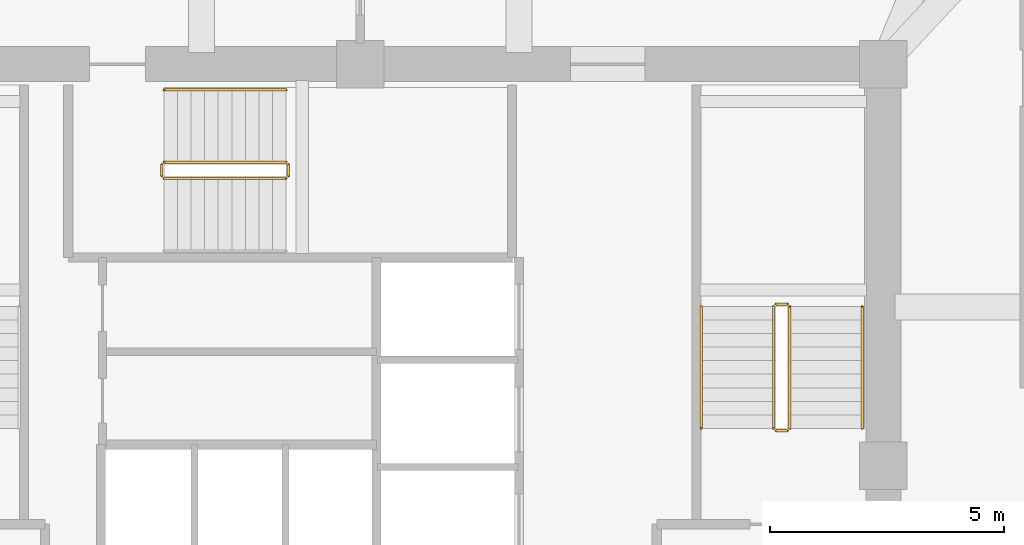
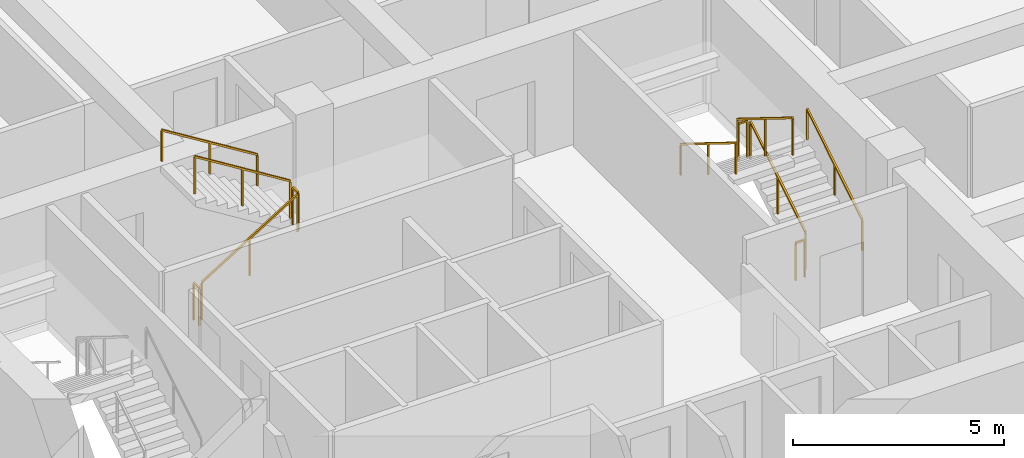
# One storey, part 12 of 12: 11 railings.
"""IFC4 building model written with IfcOpenShell, lengths in metres."""

from ifc_helpers import new_model, si_unit, derived_unit, direction, frame, origin, origin_2d, place, context, subcontext, project, spatial, rectangle, extrude, material, type_object, element, save


model = new_model("IFC4")

# Units and contexts
model_context = context("Model", 3, precision=1e-05, world=origin(), true_north=direction((0.0, 1.0)))
body_context = subcontext(model_context, "Body", "Model", "MODEL_VIEW")
ifc_project = project(units=[si_unit("LENGTHUNIT", "METRE"), si_unit("AREAUNIT", "SQUARE_METRE"), si_unit("VOLUMEUNIT", "CUBIC_METRE"), si_unit("PLANEANGLEUNIT", "RADIAN"), si_unit("MASSUNIT", "GRAM", prefix="KILO"), derived_unit("THERMALTRANSMITTANCEUNIT", [(si_unit("POWERUNIT", "WATT"), 1), (si_unit("LENGTHUNIT", "METRE"), -2), (si_unit("THERMODYNAMICTEMPERATUREUNIT", "KELVIN"), -1)])], contexts=[model_context])

# Site, building, storey
site_placement = place(None, origin())
site = spatial("IfcSite", under=ifc_project, at=site_placement, CompositionType="ELEMENT")
building_placement = place(site_placement, origin())
building = spatial("IfcBuilding", under=site, at=building_placement, Name="Koralith Skygarden Medical Center", CompositionType="ELEMENT")
storey_placement = place(building_placement, frame((0.0, 0.0, 163.6201171875)))
storey = spatial("IfcBuildingStorey", under=building, at=storey_placement, Name="L42", CompositionType="ELEMENT", Elevation=163.6201171875)

# Railings
ifc_material = material(Name="Steel ASTM A500 Grade C", Category="steel")
railing_type_1 = type_object("IfcRailingType", Name="Stair Flight Tubular Handrail 920", PredefinedType="HANDRAIL", material=ifc_material)
railing_1_placement = place(storey_placement, frame((47.75, 26.699951171875, 0.179931640625)))
element("IfcRailing", 1, at=railing_1_placement, inside=storey, type_object=railing_type_1, Name="L42 ST2 stair handrail 1", PredefinedType="HANDRAIL", context=body_context, shape_type="SweptSolid", body=[
    extrude(rectangle(XDim=0.050048828125, YDim=0.050048828125, at=origin_2d()), frame((0.0, 0.001708984375, 0.89599609375), z_axis=(0.0, 0.849668407637, 0.527317358963), x_axis=(-1.0, 0.0, 0.0)), (0.0, 0.0, 1.0), 3.06787109375),
    extrude(rectangle(XDim=0.0419921875, YDim=0.0419921875, at=origin_2d()), origin(), (0.0, 0.0, 1.0), 0.867919921875),
    extrude(rectangle(XDim=0.0419921875, YDim=0.0419921875, at=origin_2d()), frame((0.0, 1.30517578125, 0.81005859375)), (0.0, 0.0, 1.0), 0.867919921875),
    extrude(rectangle(XDim=0.0419921875, YDim=0.0419921875, at=origin_2d()), frame((0.0, 2.610107421875, 1.619873046875)), (0.0, 0.0, 1.0), 0.867919921875),
])
railing_2_placement = place(storey_placement, frame((44.300048828125, 29.31005859375, 1.97998046875)))
element("IfcRailing", 2, at=railing_2_placement, inside=storey, type_object=railing_type_1, Name="L42 ST2 stair handrail 2", PredefinedType="HANDRAIL", context=body_context, shape_type="SweptSolid", body=[
    extrude(rectangle(XDim=0.050048828125, YDim=0.050048828125, at=origin_2d()), frame((0.0, -0.001708984375, 0.89599609375), z_axis=(0.0, -0.849668407637, 0.527317358963), x_axis=(1.0, 0.0, 0.0)), (0.0, 0.0, 1.0), 3.06787109375),
    extrude(rectangle(XDim=0.0419921875, YDim=0.0419921875, at=origin_2d()), origin(), (0.0, 0.0, 1.0), 0.867919921875),
    extrude(rectangle(XDim=0.0419921875, YDim=0.0419921875, at=origin_2d()), frame((0.0, -1.30517578125, 0.81005859375)), (0.0, 0.0, 1.0), 0.867919921875),
    extrude(rectangle(XDim=0.0419921875, YDim=0.0419921875, at=origin_2d()), frame((0.0, -2.610107421875, 1.619873046875)), (0.0, 0.0, 1.0), 0.867919921875),
])
railing_3_placement = place(storey_placement, frame((35.409912109375, 33.949951171875, 1.97998046875)))
element("IfcRailing", 3, at=railing_3_placement, inside=storey, type_object=railing_type_1, Name="L42 ST3 stair handrail 2", PredefinedType="HANDRAIL", context=body_context, shape_type="SweptSolid", body=[
    extrude(rectangle(XDim=0.050048828125, YDim=0.050048828125, at=origin_2d()), frame((-0.001708984375, 0.0, 0.89599609375), z_axis=(-0.849646306263, 0.0, 0.527352969322), x_axis=(0.0, -1.0, 0.0)), (0.0, 0.0, 1.0), 3.067626953125),
    extrude(rectangle(XDim=0.0419921875, YDim=0.0419921875, at=origin_2d()), origin(), (0.0, 0.0, 1.0), 0.867919921875),
    extrude(rectangle(XDim=0.0419921875, YDim=0.0419921875, at=origin_2d()), frame((-1.304931640625, 0.0, 0.81005859375)), (0.0, 0.0, 1.0), 0.867919921875),
    extrude(rectangle(XDim=0.0419921875, YDim=0.0419921875, at=origin_2d()), frame((-2.60986328125, 0.0, 1.619873046875)), (0.0, 0.0, 1.0), 0.867919921875),
])
railing_type_2 = type_object("IfcRailingType", Name="Stair Well Safety Guardrail 1100", PredefinedType="GUARDRAIL", material=ifc_material)
railing_4_placement = place(storey_placement, frame((46.199951171875, 26.699951171875, 0.179931640625)))
element("IfcRailing", 4, at=railing_4_placement, inside=storey, type_object=railing_type_2, Name="L42 ST2 stair guard 1", PredefinedType="GUARDRAIL", context=body_context, shape_type="SweptSolid", body=[
    extrude(rectangle(XDim=0.050048828125, YDim=0.050048828125, at=origin_2d()), frame((0.0, 0.001708984375, 1.076171875), z_axis=(0.0, 0.849668407637, 0.527317358963), x_axis=(-1.0, 0.0, 0.0)), (0.0, 0.0, 1.0), 3.06787109375),
    extrude(rectangle(XDim=0.0419921875, YDim=0.0419921875, at=origin_2d()), origin(), (0.0, 0.0, 1.0), 1.048095703125),
    extrude(rectangle(XDim=0.0419921875, YDim=0.0419921875, at=origin_2d()), frame((0.0, 1.30517578125, 0.81005859375)), (0.0, 0.0, 1.0), 1.048095703125),
    extrude(rectangle(XDim=0.0419921875, YDim=0.0419921875, at=origin_2d()), frame((0.0, 2.610107421875, 1.619873046875)), (0.0, 0.0, 1.0), 1.048095703125),
])
railing_5_placement = place(storey_placement, frame((46.14990234375, 29.360107421875, 1.7998046875)))
element("IfcRailing", 5, at=railing_5_placement, inside=storey, type_object=railing_type_2, Name="L42 ST2 stair guard 2", PredefinedType="GUARDRAIL", context=body_context, shape_type="SweptSolid", body=[
    extrude(rectangle(XDim=0.050048828125, YDim=0.050048828125, at=origin_2d()), frame((-0.001953125, 0.0, 1.0751953125), z_axis=(-1.0, 0.0, 0.0), x_axis=(0.0, -1.0, 0.0)), (0.0, 0.0, 1.0), 0.24609375),
    extrude(rectangle(XDim=0.0419921875, YDim=0.0419921875, at=origin_2d()), origin(), (0.0, 0.0, 1.0), 1.048095703125),
    extrude(rectangle(XDim=0.0419921875, YDim=0.0419921875, at=origin_2d()), frame((-0.25, 0.0, 0.0)), (0.0, 0.0, 1.0), 1.048095703125),
])
railing_6_placement = place(storey_placement, frame((45.85009765625, 29.31005859375, 1.97998046875)))
element("IfcRailing", 6, at=railing_6_placement, inside=storey, type_object=railing_type_2, Name="L42 ST2 stair guard 3", PredefinedType="GUARDRAIL", context=body_context, shape_type="SweptSolid", body=[
    extrude(rectangle(XDim=0.050048828125, YDim=0.050048828125, at=origin_2d()), frame((0.0, -0.001708984375, 1.076171875), z_axis=(0.0, -0.849668407637, 0.527317358963), x_axis=(1.0, 0.0, 0.0)), (0.0, 0.0, 1.0), 3.06787109375),
    extrude(rectangle(XDim=0.0419921875, YDim=0.0419921875, at=origin_2d()), origin(), (0.0, 0.0, 1.0), 1.048095703125),
    extrude(rectangle(XDim=0.0419921875, YDim=0.0419921875, at=origin_2d()), frame((0.0, -1.30517578125, 0.81005859375)), (0.0, 0.0, 1.0), 1.048095703125),
    extrude(rectangle(XDim=0.0419921875, YDim=0.0419921875, at=origin_2d()), frame((0.0, -2.610107421875, 1.619873046875)), (0.0, 0.0, 1.0), 1.048095703125),
])
railing_7_placement = place(storey_placement, frame((46.14990234375, 26.64990234375, 0.0)))
element("IfcRailing", 7, at=railing_7_placement, inside=storey, type_object=railing_type_2, Name="L42 ST2 stair guard 4", PredefinedType="GUARDRAIL", context=body_context, shape_type="SweptSolid", body=[
    extrude(rectangle(XDim=0.050048828125, YDim=0.050048828125, at=origin_2d()), frame((-0.001953125, 0.0, 1.0751953125), z_axis=(-1.0, 0.0, 0.0), x_axis=(0.0, -1.0, 0.0)), (0.0, 0.0, 1.0), 0.24609375),
    extrude(rectangle(XDim=0.0419921875, YDim=0.0419921875, at=origin_2d()), origin(), (0.0, 0.0, 1.0), 1.048095703125),
    extrude(rectangle(XDim=0.0419921875, YDim=0.0419921875, at=origin_2d()), frame((-0.25, 0.0, 0.0)), (0.0, 0.0, 1.0), 1.048095703125),
])
railing_8_placement = place(storey_placement, frame((32.800048828125, 32.050048828125, 0.179931640625)))
element("IfcRailing", 8, at=railing_8_placement, inside=storey, type_object=railing_type_2, Name="L42 ST3 stair guard 1", PredefinedType="GUARDRAIL", context=body_context, shape_type="SweptSolid", body=[
    extrude(rectangle(XDim=0.050048828125, YDim=0.050048828125, at=origin_2d()), frame((0.001708984375, 0.0, 1.076171875), z_axis=(0.849646306263, 0.0, 0.527352969322), x_axis=(0.0, 1.0, 0.0)), (0.0, 0.0, 1.0), 3.067626953125),
    extrude(rectangle(XDim=0.0419921875, YDim=0.0419921875, at=origin_2d()), origin(), (0.0, 0.0, 1.0), 1.048095703125),
    extrude(rectangle(XDim=0.0419921875, YDim=0.0419921875, at=origin_2d()), frame((1.304931640625, 0.0, 0.81005859375)), (0.0, 0.0, 1.0), 1.048095703125),
    extrude(rectangle(XDim=0.0419921875, YDim=0.0419921875, at=origin_2d()), frame((2.60986328125, 0.0, 1.619873046875)), (0.0, 0.0, 1.0), 1.048095703125),
])
railing_9_placement = place(storey_placement, frame((35.4599609375, 32.10009765625, 1.7998046875)))
element("IfcRailing", 9, at=railing_9_placement, inside=storey, type_object=railing_type_2, Name="L42 ST3 stair guard 2", PredefinedType="GUARDRAIL", context=body_context, shape_type="SweptSolid", body=[
    extrude(rectangle(XDim=0.050048828125, YDim=0.050048828125, at=origin_2d()), frame((0.0, 0.001953125, 1.0751953125), z_axis=(0.0, 1.0, 0.0), x_axis=(-1.0, 0.0, 0.0)), (0.0, 0.0, 1.0), 0.24609375),
    extrude(rectangle(XDim=0.0419921875, YDim=0.0419921875, at=origin_2d()), origin(), (0.0, 0.0, 1.0), 1.048095703125),
    extrude(rectangle(XDim=0.0419921875, YDim=0.0419921875, at=origin_2d()), frame((0.0, 0.25, 0.0)), (0.0, 0.0, 1.0), 1.048095703125),
])
railing_10_placement = place(storey_placement, frame((35.409912109375, 32.39990234375, 1.97998046875)))
element("IfcRailing", 10, at=railing_10_placement, inside=storey, type_object=railing_type_2, Name="L42 ST3 stair guard 3", PredefinedType="GUARDRAIL", context=body_context, shape_type="SweptSolid", body=[
    extrude(rectangle(XDim=0.050048828125, YDim=0.050048828125, at=origin_2d()), frame((-0.001708984375, 0.0, 1.076171875), z_axis=(-0.849646306263, 0.0, 0.527352969322), x_axis=(0.0, -1.0, 0.0)), (0.0, 0.0, 1.0), 3.067626953125),
    extrude(rectangle(XDim=0.0419921875, YDim=0.0419921875, at=origin_2d()), origin(), (0.0, 0.0, 1.0), 1.048095703125),
    extrude(rectangle(XDim=0.0419921875, YDim=0.0419921875, at=origin_2d()), frame((-1.304931640625, 0.0, 0.81005859375)), (0.0, 0.0, 1.0), 1.048095703125),
    extrude(rectangle(XDim=0.0419921875, YDim=0.0419921875, at=origin_2d()), frame((-2.60986328125, 0.0, 1.619873046875)), (0.0, 0.0, 1.0), 1.048095703125),
])
railing_11_placement = place(storey_placement, frame((32.75, 32.10009765625, 0.0)))
element("IfcRailing", 11, at=railing_11_placement, inside=storey, type_object=railing_type_2, Name="L42 ST3 stair guard 4", PredefinedType="GUARDRAIL", context=body_context, shape_type="SweptSolid", body=[
    extrude(rectangle(XDim=0.050048828125, YDim=0.050048828125, at=origin_2d()), frame((0.0, 0.001953125, 1.0751953125), z_axis=(0.0, 1.0, 0.0), x_axis=(-1.0, 0.0, 0.0)), (0.0, 0.0, 1.0), 0.24609375),
    extrude(rectangle(XDim=0.0419921875, YDim=0.0419921875, at=origin_2d()), origin(), (0.0, 0.0, 1.0), 1.048095703125),
    extrude(rectangle(XDim=0.0419921875, YDim=0.0419921875, at=origin_2d()), frame((0.0, 0.25, 0.0)), (0.0, 0.0, 1.0), 1.048095703125),
])

save(model, "model.ifc")
